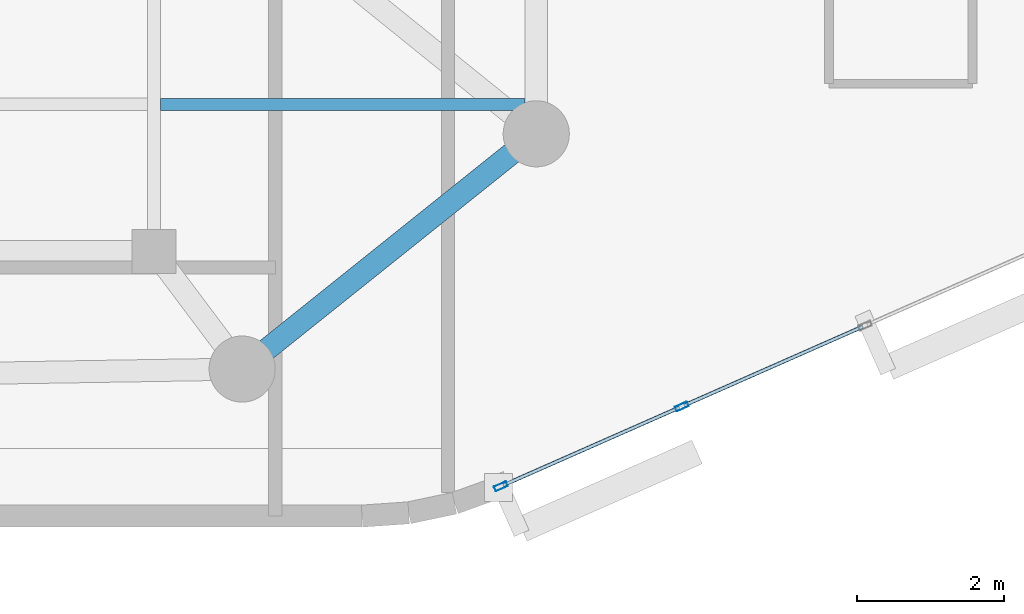
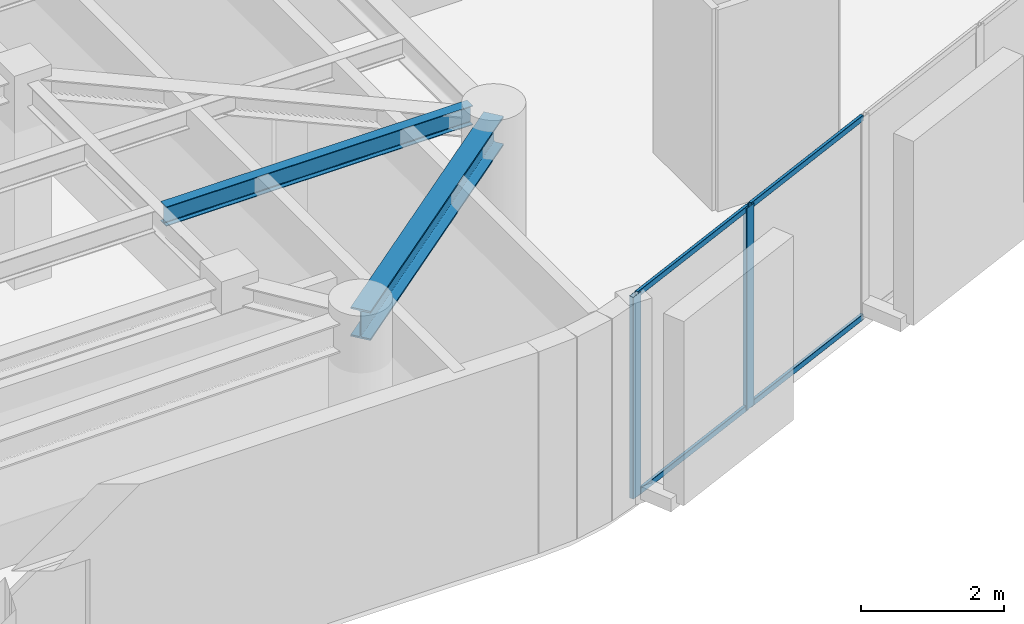
# One storey, part 2 of 12: 6 members, 2 beams, 1 element without a shape of its own.
"""IFC4 building model written with IfcOpenShell, lengths in metres."""

from ifc_helpers import new_model, si_unit, direction, frame, origin, origin_2d, place, context, subcontext, project, spatial, hollow_rectangle, i_section, extrude, material, layer, layer_set, material_profile, profile_set, type_object, element, aggregate, save


model = new_model("IFC4")

# Units and contexts
model_context = context("Model", 3, precision=1e-05, world=origin(), true_north=direction((0.0, 1.0)))
body_context = subcontext(model_context, "Body", "Model", "MODEL_VIEW")
ifc_project = project(units=[si_unit("LENGTHUNIT", "METRE"), si_unit("AREAUNIT", "SQUARE_METRE"), si_unit("VOLUMEUNIT", "CUBIC_METRE"), si_unit("PLANEANGLEUNIT", "RADIAN"), si_unit("MASSUNIT", "GRAM", prefix="KILO")], contexts=[model_context])

# Site, building, storey
site_placement = place(None, origin())
site = spatial("IfcSite", under=ifc_project, at=site_placement, CompositionType="ELEMENT")
building_placement = place(site_placement, origin())
building = spatial("IfcBuilding", under=site, at=building_placement, Name="An Khanh Terracotta Commons", CompositionType="ELEMENT")
storey_placement = place(building_placement, frame((0.0, 0.0, 258.800048828125)))
storey = spatial("IfcBuildingStorey", under=building, at=storey_placement, Name="L67", CompositionType="ELEMENT", Elevation=258.800048828125)

# Beams
ifc_material_1 = material(Name="Steel S355J2", Category="steel")
ifc_material_profile_1 = material_profile(ifc_material_1, i_section(OverallWidth=0.300048828125, OverallDepth=0.5, WebThickness=0.014404296875, FlangeThickness=0.028076171875, FilletRadius=0.027099609375, at=origin_2d()), Name="HEB500")
ifc_profile_set_1 = profile_set([ifc_material_profile_1], Name="Steel S355J2")
beam_type_1 = type_object("IfcBeamType", Name="BM-HEB500", PredefinedType="BEAM", material=ifc_profile_set_1)
beam_1_placement = place(storey_placement, frame((59.39990234375, 12.800048828125, 3.199951171875), z_axis=(0.780873459249, 0.624689235253, 0.0), x_axis=(-0.624689235253, 0.780873459249, 0.0)))
element("IfcBeam", 1, at=beam_1_placement, inside=storey, type_object=beam_type_1, Name="L67 Perimeter Ring Spandrel 2", PredefinedType="BEAM", context=body_context, shape_type="SweptSolid", body=[
    extrude(i_section(OverallWidth=0.300048828125, OverallDepth=0.5, WebThickness=0.014404296875, FlangeThickness=0.028076171875, FilletRadius=0.027099609375, at=origin_2d()), origin(), (0.0, 0.0, 1.0), 5.12255859375),
])
ifc_material_profile_2 = material_profile(ifc_material_1, i_section(OverallWidth=0.159912109375, OverallDepth=0.330078125, WebThickness=0.007568359375, FlangeThickness=0.011474609375, FilletRadius=0.01806640625, at=origin_2d()), Name="IPE330")
ifc_profile_set_2 = profile_set([ifc_material_profile_2], Name="Steel S355J2")
beam_type_2 = type_object("IfcBeamType", Name="BM-IPE330", PredefinedType="JOIST", material=ifc_profile_set_2)
beam_2_placement = place(storey_placement, frame((58.2900390625, 16.39990234375, 3.284912109375), z_axis=(1.0, 0.0, 0.0), x_axis=(0.0, 1.0, 0.0)))
element("IfcBeam", 2, at=beam_2_placement, inside=storey, type_object=beam_type_2, Name="L67 Riverfront Composite Joist 1", PredefinedType="JOIST", context=body_context, shape_type="SweptSolid", body=[
    extrude(i_section(OverallWidth=0.159912109375, OverallDepth=0.330078125, WebThickness=0.007568359375, FlangeThickness=0.011474609375, FilletRadius=0.01806640625, at=origin_2d()), origin(), (0.0, 0.0, 1.0), 4.9599609375),
])

# Curtain wall, members
ifc_material_2 = material(Name="Anodised Aluminium 6063-T6", Category="aluminium")
ifc_layer = layer(ifc_material_2, 0.2099609375, Name="Anodised Aluminium 6063-T6")
ifc_layer_set = layer_set([ifc_layer], Name="Anodised Aluminium 6063-T6")
curtain_wall_type = type_object("IfcCurtainWallType", Name="CW-SYS-03", PredefinedType="USERDEFINED", material=ifc_layer_set)
curtain_wall_placement = place(storey_placement, origin())
curtain_wall = element("IfcCurtainWall", 3, at=curtain_wall_placement, inside=storey, type_object=curtain_wall_type, Name="L67 CW-03 Unitised Curtain Wall CW-L67-08", ObjectType="UNITISED CURTAIN WALL", PredefinedType="USERDEFINED")
ifc_material_profile_3 = material_profile(ifc_material_2, hollow_rectangle(XDim=0.070068359375, YDim=0.179931640625, WallThickness=0.00390625, InnerFilletRadius=0.00390625, OuterFilletRadius=0.008056640625, at=origin_2d()), Name="RHS180x70x4")
ifc_profile_set_3 = profile_set([ifc_material_profile_3], Name="Anodised Aluminium 6063-T6")
member_type_1 = type_object("IfcMemberType", Name="CWM-RHS180x70x4", PredefinedType="MULLION", material=ifc_profile_set_3)
member_1_placement = place(storey_placement, frame((62.9189453125, 11.205078125, 0.0), z_axis=(0.0, 0.0, 1.0), x_axis=(-0.403676354285, 0.914901853201, 0.0)))
member_1 = element("IfcMember", 4, at=member_1_placement, type_object=member_type_1, Name="CW-03 mullion 1", PredefinedType="MULLION", context=body_context, shape_type="SweptSolid", body=[
    extrude(hollow_rectangle(XDim=0.070068359375, YDim=0.179931640625, WallThickness=0.00390625, InnerFilletRadius=0.00390625, OuterFilletRadius=0.008056640625, at=origin_2d()), origin(), (0.0, 0.0, 1.0), 3.449951171875),
])
member_2_placement = place(storey_placement, frame((65.37939453125, 12.290771484375, 0.0), z_axis=(0.0, 0.0, 1.0), x_axis=(-0.403676354285, 0.914901853201, 0.0)))
member_2 = element("IfcMember", 5, at=member_2_placement, type_object=member_type_1, Name="CW-03 mullion 2", PredefinedType="MULLION", context=body_context, shape_type="SweptSolid", body=[
    extrude(hollow_rectangle(XDim=0.070068359375, YDim=0.179931640625, WallThickness=0.00390625, InnerFilletRadius=0.00390625, OuterFilletRadius=0.008056640625, at=origin_2d()), origin(), (0.0, 0.0, 1.0), 3.449951171875),
])
ifc_material_profile_4 = material_profile(ifc_material_2, hollow_rectangle(XDim=0.050048828125, YDim=0.10009765625, WallThickness=0.003173828125, InnerFilletRadius=0.003173828125, OuterFilletRadius=0.00634765625, at=origin_2d()), Name="RHS100x50x3.2")
ifc_profile_set_4 = profile_set([ifc_material_profile_4], Name="Anodised Aluminium 6063-T6")
member_type_2 = type_object("IfcMemberType", Name="CWT-RHS100x50x3.2", PredefinedType="USERDEFINED", material=ifc_profile_set_4)
member_3_placement = place(storey_placement, frame((62.950927734375, 11.21923828125, 0.02490234375), z_axis=(0.914903627858, 0.403672332137, 0.0), x_axis=(-0.403672332137, 0.914903627858, 0.0)))
member_3 = element("IfcMember", 6, at=member_3_placement, type_object=member_type_2, Name="CW-03 transom 1.1", ObjectType="TRANSOM", PredefinedType="USERDEFINED", context=body_context, shape_type="SweptSolid", body=[
    extrude(hollow_rectangle(XDim=0.050048828125, YDim=0.10009765625, WallThickness=0.003173828125, InnerFilletRadius=0.003173828125, OuterFilletRadius=0.00634765625, at=origin_2d()), origin(), (0.0, 0.0, 1.0), 2.619384765625),
])
member_4_placement = place(storey_placement, frame((62.950927734375, 11.21923828125, 3.425048828125), z_axis=(0.914903627858, 0.403672332137, 0.0), x_axis=(-0.403672332137, 0.914903627858, 0.0)))
member_4 = element("IfcMember", 7, at=member_4_placement, type_object=member_type_2, Name="CW-03 transom 1.2", ObjectType="TRANSOM", PredefinedType="USERDEFINED", context=body_context, shape_type="SweptSolid", body=[
    extrude(hollow_rectangle(XDim=0.050048828125, YDim=0.10009765625, WallThickness=0.003173828125, InnerFilletRadius=0.003173828125, OuterFilletRadius=0.00634765625, at=origin_2d()), origin(), (0.0, 0.0, 1.0), 2.619384765625),
])
member_5_placement = place(storey_placement, frame((65.41162109375, 12.304931640625, 0.02490234375), z_axis=(0.914896820753, 0.403687759755, 0.0), x_axis=(-0.403687759755, 0.914896820753, 0.0)))
member_5 = element("IfcMember", 8, at=member_5_placement, type_object=member_type_2, Name="CW-03 transom 2.1", ObjectType="TRANSOM", PredefinedType="USERDEFINED", context=body_context, shape_type="SweptSolid", body=[
    extrude(hollow_rectangle(XDim=0.050048828125, YDim=0.10009765625, WallThickness=0.003173828125, InnerFilletRadius=0.003173828125, OuterFilletRadius=0.00634765625, at=origin_2d()), origin(), (0.0, 0.0, 1.0), 2.654296875),
])
member_6_placement = place(storey_placement, frame((65.41162109375, 12.304931640625, 3.425048828125), z_axis=(0.914896820753, 0.403687759755, 0.0), x_axis=(-0.403687759755, 0.914896820753, 0.0)))
member_6 = element("IfcMember", 9, at=member_6_placement, type_object=member_type_2, Name="CW-03 transom 2.2", ObjectType="TRANSOM", PredefinedType="USERDEFINED", context=body_context, shape_type="SweptSolid", body=[
    extrude(hollow_rectangle(XDim=0.050048828125, YDim=0.10009765625, WallThickness=0.003173828125, InnerFilletRadius=0.003173828125, OuterFilletRadius=0.00634765625, at=origin_2d()), origin(), (0.0, 0.0, 1.0), 2.654296875),
])
aggregate(curtain_wall, [member_1, member_2, member_3, member_4, member_5, member_6])

save(model, "model.ifc")
